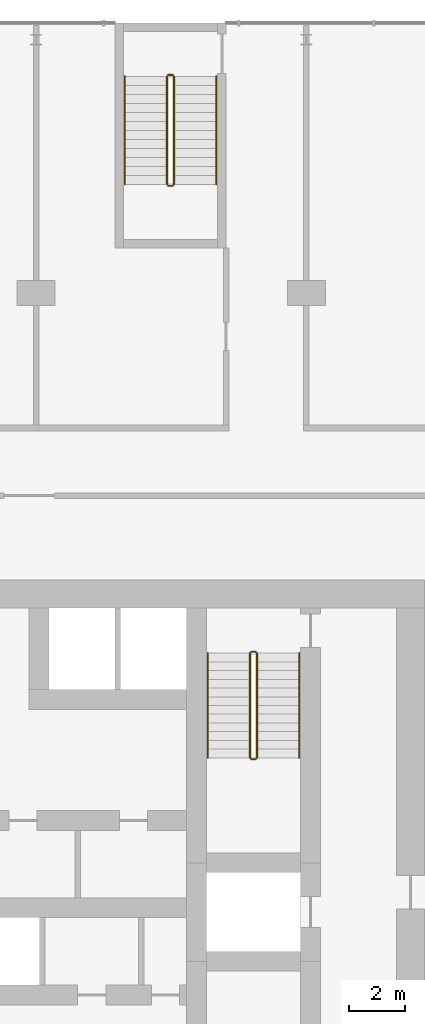
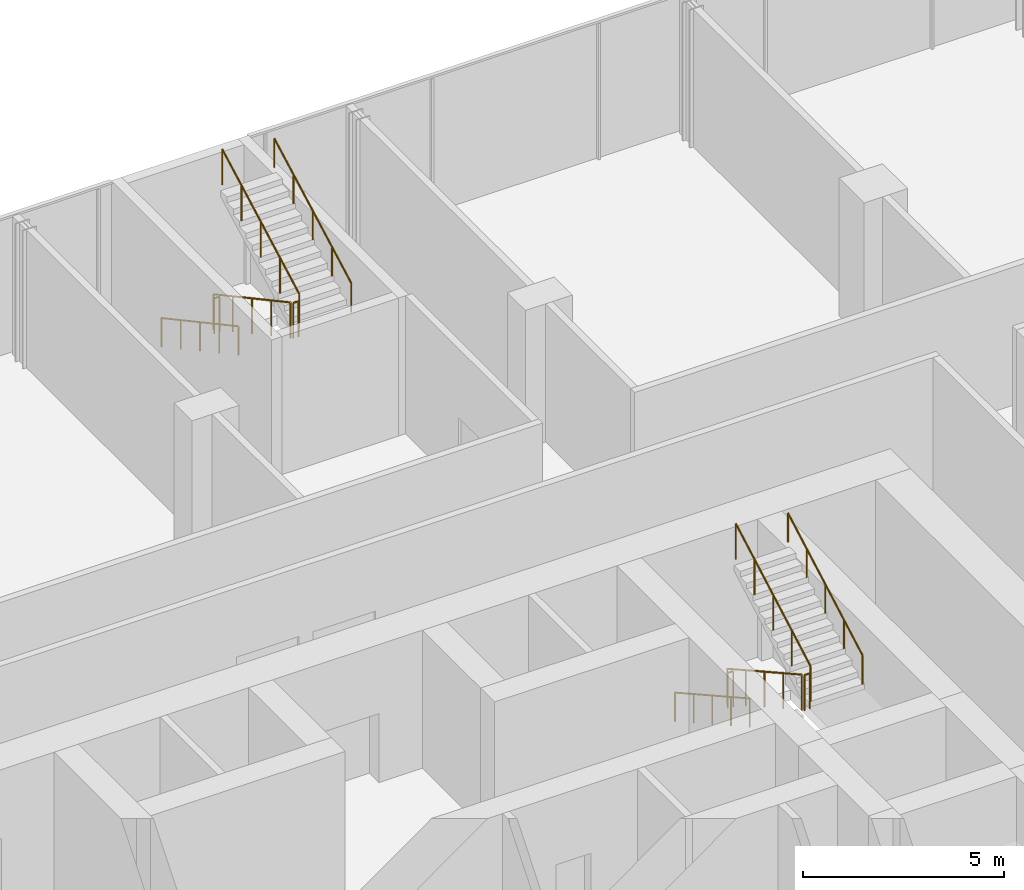
# One storey, part 42 of 43: 12 railings.
"""IFC4 building model written with IfcOpenShell, lengths in metres."""

from ifc_helpers import new_model, si_unit, direction, frame, origin, origin_2d, place, context, subcontext, project, spatial, circle, extrude, material, type_object, element, save


model = new_model("IFC4")

# Units and contexts
model_context = context("Model", 3, precision=1e-05, world=origin(), true_north=direction((0.0, 1.0)))
body_context = subcontext(model_context, "Body", "Model", "MODEL_VIEW")
ifc_project = project(units=[si_unit("LENGTHUNIT", "METRE"), si_unit("AREAUNIT", "SQUARE_METRE"), si_unit("VOLUMEUNIT", "CUBIC_METRE"), si_unit("PLANEANGLEUNIT", "RADIAN"), si_unit("MASSUNIT", "GRAM", prefix="KILO")], contexts=[model_context])

# Site, building, storey
site_placement = place(None, origin())
site = spatial("IfcSite", under=ifc_project, at=site_placement, CompositionType="ELEMENT")
building_placement = place(site_placement, origin())
building = spatial("IfcBuilding", under=site, at=building_placement, Name="Madar Terraces", CompositionType="ELEMENT")
storey_placement = place(building_placement, frame((0.0, 0.0, 10.5)))
storey = spatial("IfcBuildingStorey", under=building, at=storey_placement, Name="L02", CompositionType="ELEMENT", Elevation=10.5)

# Railings
ifc_material_1 = material(Name="Stainless steel railing", Category="steel")
railing_type_1 = type_object("IfcRailingType", Name="Stair guard 1100", PredefinedType="GUARDRAIL", material=ifc_material_1)
railing_1_placement = place(storey_placement, frame((41.199951171875, 35.199951171875, 0.173095703125)))
element("IfcRailing", 1, at=railing_1_placement, inside=storey, type_object=railing_type_1, Name="L02 ST2 stair guard 1", PredefinedType="GUARDRAIL", context=body_context, shape_type="SweptSolid", body=[
    extrude(circle(Radius=0.02392578125, at=origin_2d()), frame((0.0, 0.0, 1.076171875), z_axis=(0.0, -0.873133609054, 0.487480974747), x_axis=(1.0, 0.0, 0.0)), (0.0, 0.0, 1.0), 4.260498046875),
    extrude(circle(Radius=0.02099609375, at=origin_2d()), origin(), (0.0, 0.0, 1.0), 1.052001953125),
    extrude(circle(Radius=0.02099609375, at=origin_2d()), frame((0.0, -0.929931640625, 0.519287109375)), (0.0, 0.0, 1.0), 1.052001953125),
    extrude(circle(Radius=0.02099609375, at=origin_2d()), frame((0.0, -1.85986328125, 1.03857421875)), (0.0, 0.0, 1.0), 1.052001953125),
    extrude(circle(Radius=0.02099609375, at=origin_2d()), frame((0.0, -2.7900390625, 1.5576171875)), (0.0, 0.0, 1.0), 1.052001953125),
    extrude(circle(Radius=0.02099609375, at=origin_2d()), frame((0.0, -3.719970703125, 2.076904296875)), (0.0, 0.0, 1.0), 1.052001953125),
])
railing_2_placement = place(storey_placement, frame((41.25, 31.429931640625, 2.25)))
element("IfcRailing", 2, at=railing_2_placement, inside=storey, type_object=railing_type_1, Name="L02 ST2 stair guard 2", PredefinedType="GUARDRAIL", context=body_context, shape_type="SweptSolid", body=[
    extrude(circle(Radius=0.02392578125, at=origin_2d()), frame((0.0, 0.0, 1.076171875), z_axis=(1.0, 0.0, 0.0), x_axis=(0.0, 1.0, 0.0)), (0.0, 0.0, 1.0), 0.14990234375),
    extrude(circle(Radius=0.02099609375, at=origin_2d()), origin(), (0.0, 0.0, 1.0), 1.052001953125),
    extrude(circle(Radius=0.02099609375, at=origin_2d()), frame((0.14990234375, 0.0, 0.0)), (0.0, 0.0, 1.0), 1.052001953125),
])
railing_3_placement = place(storey_placement, frame((41.449951171875, 31.47998046875, 2.423095703125)))
element("IfcRailing", 3, at=railing_3_placement, inside=storey, type_object=railing_type_1, Name="L02 ST2 stair guard 3", PredefinedType="GUARDRAIL", context=body_context, shape_type="SweptSolid", body=[
    extrude(circle(Radius=0.02392578125, at=origin_2d()), frame((0.0, 0.0, 1.076171875), z_axis=(0.0, 0.873133609054, 0.487480974747), x_axis=(-1.0, 0.0, 0.0)), (0.0, 0.0, 1.0), 4.260498046875),
    extrude(circle(Radius=0.02099609375, at=origin_2d()), origin(), (0.0, 0.0, 1.0), 1.052001953125),
    extrude(circle(Radius=0.02099609375, at=origin_2d()), frame((0.0, 0.929931640625, 0.519287109375)), (0.0, 0.0, 1.0), 1.052001953125),
    extrude(circle(Radius=0.02099609375, at=origin_2d()), frame((0.0, 1.85986328125, 1.03857421875)), (0.0, 0.0, 1.0), 1.052001953125),
    extrude(circle(Radius=0.02099609375, at=origin_2d()), frame((0.0, 2.7900390625, 1.5576171875)), (0.0, 0.0, 1.0), 1.052001953125),
    extrude(circle(Radius=0.02099609375, at=origin_2d()), frame((0.0, 3.719970703125, 2.076904296875)), (0.0, 0.0, 1.0), 1.052001953125),
])
railing_4_placement = place(storey_placement, frame((41.25, 35.25, 0.0)))
element("IfcRailing", 4, at=railing_4_placement, inside=storey, type_object=railing_type_1, Name="L02 ST2 stair guard 4", PredefinedType="GUARDRAIL", context=body_context, shape_type="SweptSolid", body=[
    extrude(circle(Radius=0.02392578125, at=origin_2d()), frame((0.0, 0.0, 1.076171875), z_axis=(1.0, 0.0, 0.0), x_axis=(0.0, 1.0, 0.0)), (0.0, 0.0, 1.0), 0.14990234375),
    extrude(circle(Radius=0.02099609375, at=origin_2d()), origin(), (0.0, 0.0, 1.0), 1.052001953125),
    extrude(circle(Radius=0.02099609375, at=origin_2d()), frame((0.14990234375, 0.0, 0.0)), (0.0, 0.0, 1.0), 1.052001953125),
])
railing_5_placement = place(storey_placement, frame((38.25, 55.699951171875, 0.173095703125)))
element("IfcRailing", 5, at=railing_5_placement, inside=storey, type_object=railing_type_1, Name="L02 PS2 stair guard 1", PredefinedType="GUARDRAIL", context=body_context, shape_type="SweptSolid", body=[
    extrude(circle(Radius=0.02392578125, at=origin_2d()), frame((0.0, 0.0, 1.076171875), z_axis=(0.0, -0.879580660541, 0.475749788862), x_axis=(1.0, 0.0, 0.0)), (0.0, 0.0, 1.0), 4.365478515625),
    extrude(circle(Radius=0.02099609375, at=origin_2d()), origin(), (0.0, 0.0, 1.0), 1.052001953125),
    extrude(circle(Radius=0.02099609375, at=origin_2d()), frame((0.0, -0.9599609375, 0.519287109375)), (0.0, 0.0, 1.0), 1.052001953125),
    extrude(circle(Radius=0.02099609375, at=origin_2d()), frame((0.0, -1.919921875, 1.03857421875)), (0.0, 0.0, 1.0), 1.052001953125),
    extrude(circle(Radius=0.02099609375, at=origin_2d()), frame((0.0, -2.8798828125, 1.5576171875)), (0.0, 0.0, 1.0), 1.052001953125),
    extrude(circle(Radius=0.02099609375, at=origin_2d()), frame((0.0, -3.83984375, 2.076904296875)), (0.0, 0.0, 1.0), 1.052001953125),
])
railing_6_placement = place(storey_placement, frame((38.300048828125, 51.81005859375, 2.25)))
element("IfcRailing", 6, at=railing_6_placement, inside=storey, type_object=railing_type_1, Name="L02 PS2 stair guard 2", PredefinedType="GUARDRAIL", context=body_context, shape_type="SweptSolid", body=[
    extrude(circle(Radius=0.02392578125, at=origin_2d()), frame((0.0, 0.0, 1.076171875), z_axis=(1.0, 0.0, 0.0), x_axis=(0.0, 1.0, 0.0)), (0.0, 0.0, 1.0), 0.14990234375),
    extrude(circle(Radius=0.02099609375, at=origin_2d()), origin(), (0.0, 0.0, 1.0), 1.052001953125),
    extrude(circle(Radius=0.02099609375, at=origin_2d()), frame((0.14990234375, 0.0, 0.0)), (0.0, 0.0, 1.0), 1.052001953125),
])
railing_7_placement = place(storey_placement, frame((38.5, 51.860107421875, 2.423095703125)))
element("IfcRailing", 7, at=railing_7_placement, inside=storey, type_object=railing_type_1, Name="L02 PS2 stair guard 3", PredefinedType="GUARDRAIL", context=body_context, shape_type="SweptSolid", body=[
    extrude(circle(Radius=0.02392578125, at=origin_2d()), frame((0.0, 0.0, 1.076171875), z_axis=(0.0, 0.879580660541, 0.475749788862), x_axis=(-1.0, 0.0, 0.0)), (0.0, 0.0, 1.0), 4.365478515625),
    extrude(circle(Radius=0.02099609375, at=origin_2d()), origin(), (0.0, 0.0, 1.0), 1.052001953125),
    extrude(circle(Radius=0.02099609375, at=origin_2d()), frame((0.0, 0.9599609375, 0.519287109375)), (0.0, 0.0, 1.0), 1.052001953125),
    extrude(circle(Radius=0.02099609375, at=origin_2d()), frame((0.0, 1.919921875, 1.03857421875)), (0.0, 0.0, 1.0), 1.052001953125),
    extrude(circle(Radius=0.02099609375, at=origin_2d()), frame((0.0, 2.8798828125, 1.5576171875)), (0.0, 0.0, 1.0), 1.052001953125),
    extrude(circle(Radius=0.02099609375, at=origin_2d()), frame((0.0, 3.83984375, 2.076904296875)), (0.0, 0.0, 1.0), 1.052001953125),
])
railing_8_placement = place(storey_placement, frame((38.300048828125, 55.75, 0.0)))
element("IfcRailing", 8, at=railing_8_placement, inside=storey, type_object=railing_type_1, Name="L02 PS2 stair guard 4", PredefinedType="GUARDRAIL", context=body_context, shape_type="SweptSolid", body=[
    extrude(circle(Radius=0.02392578125, at=origin_2d()), frame((0.0, 0.0, 1.076171875), z_axis=(1.0, 0.0, 0.0), x_axis=(0.0, 1.0, 0.0)), (0.0, 0.0, 1.0), 0.14990234375),
    extrude(circle(Radius=0.02099609375, at=origin_2d()), origin(), (0.0, 0.0, 1.0), 1.052001953125),
    extrude(circle(Radius=0.02099609375, at=origin_2d()), frame((0.14990234375, 0.0, 0.0)), (0.0, 0.0, 1.0), 1.052001953125),
])
ifc_material_2 = material(Name="Stainless steel railing", Category="steel")
railing_type_2 = type_object("IfcRailingType", Name="Stair handrail 900", PredefinedType="HANDRAIL", material=ifc_material_2)
railing_9_placement = place(storey_placement, frame((39.699951171875, 35.199951171875, 0.173095703125)))
element("IfcRailing", 9, at=railing_9_placement, inside=storey, type_object=railing_type_2, Name="L02 ST2 stair handrail 1", PredefinedType="HANDRAIL", context=body_context, shape_type="SweptSolid", body=[
    extrude(circle(Radius=0.02392578125, at=origin_2d()), frame((0.0, 0.0, 0.8759765625), z_axis=(0.0, -0.873133609054, 0.487480974747), x_axis=(1.0, 0.0, 0.0)), (0.0, 0.0, 1.0), 4.260498046875),
    extrude(circle(Radius=0.02099609375, at=origin_2d()), origin(), (0.0, 0.0, 1.0), 0.851806640625),
    extrude(circle(Radius=0.02099609375, at=origin_2d()), frame((0.0, -0.929931640625, 0.519287109375)), (0.0, 0.0, 1.0), 0.851806640625),
    extrude(circle(Radius=0.02099609375, at=origin_2d()), frame((0.0, -1.85986328125, 1.03857421875)), (0.0, 0.0, 1.0), 0.851806640625),
    extrude(circle(Radius=0.02099609375, at=origin_2d()), frame((0.0, -2.7900390625, 1.5576171875)), (0.0, 0.0, 1.0), 0.851806640625),
    extrude(circle(Radius=0.02099609375, at=origin_2d()), frame((0.0, -3.719970703125, 2.076904296875)), (0.0, 0.0, 1.0), 0.851806640625),
])
railing_10_placement = place(storey_placement, frame((42.949951171875, 31.47998046875, 2.423095703125)))
element("IfcRailing", 10, at=railing_10_placement, inside=storey, type_object=railing_type_2, Name="L02 ST2 stair handrail 2", PredefinedType="HANDRAIL", context=body_context, shape_type="SweptSolid", body=[
    extrude(circle(Radius=0.02392578125, at=origin_2d()), frame((0.0, 0.0, 0.8759765625), z_axis=(0.0, 0.873133609054, 0.487480974747), x_axis=(-1.0, 0.0, 0.0)), (0.0, 0.0, 1.0), 4.260498046875),
    extrude(circle(Radius=0.02099609375, at=origin_2d()), origin(), (0.0, 0.0, 1.0), 0.851806640625),
    extrude(circle(Radius=0.02099609375, at=origin_2d()), frame((0.0, 0.929931640625, 0.519287109375)), (0.0, 0.0, 1.0), 0.851806640625),
    extrude(circle(Radius=0.02099609375, at=origin_2d()), frame((0.0, 1.85986328125, 1.03857421875)), (0.0, 0.0, 1.0), 0.851806640625),
    extrude(circle(Radius=0.02099609375, at=origin_2d()), frame((0.0, 2.7900390625, 1.5576171875)), (0.0, 0.0, 1.0), 0.851806640625),
    extrude(circle(Radius=0.02099609375, at=origin_2d()), frame((0.0, 3.719970703125, 2.076904296875)), (0.0, 0.0, 1.0), 0.851806640625),
])
railing_11_placement = place(storey_placement, frame((36.75, 55.699951171875, 0.173095703125)))
element("IfcRailing", 11, at=railing_11_placement, inside=storey, type_object=railing_type_2, Name="L02 PS2 stair handrail 1", PredefinedType="HANDRAIL", context=body_context, shape_type="SweptSolid", body=[
    extrude(circle(Radius=0.02392578125, at=origin_2d()), frame((0.0, 0.0, 0.8759765625), z_axis=(0.0, -0.879580660541, 0.475749788862), x_axis=(1.0, 0.0, 0.0)), (0.0, 0.0, 1.0), 4.365478515625),
    extrude(circle(Radius=0.02099609375, at=origin_2d()), origin(), (0.0, 0.0, 1.0), 0.851806640625),
    extrude(circle(Radius=0.02099609375, at=origin_2d()), frame((0.0, -0.9599609375, 0.519287109375)), (0.0, 0.0, 1.0), 0.851806640625),
    extrude(circle(Radius=0.02099609375, at=origin_2d()), frame((0.0, -1.919921875, 1.03857421875)), (0.0, 0.0, 1.0), 0.851806640625),
    extrude(circle(Radius=0.02099609375, at=origin_2d()), frame((0.0, -2.8798828125, 1.5576171875)), (0.0, 0.0, 1.0), 0.851806640625),
    extrude(circle(Radius=0.02099609375, at=origin_2d()), frame((0.0, -3.83984375, 2.076904296875)), (0.0, 0.0, 1.0), 0.851806640625),
])
railing_12_placement = place(storey_placement, frame((40.0, 51.860107421875, 2.423095703125)))
element("IfcRailing", 12, at=railing_12_placement, inside=storey, type_object=railing_type_2, Name="L02 PS2 stair handrail 2", PredefinedType="HANDRAIL", context=body_context, shape_type="SweptSolid", body=[
    extrude(circle(Radius=0.02392578125, at=origin_2d()), frame((0.0, 0.0, 0.8759765625), z_axis=(0.0, 0.879580660541, 0.475749788862), x_axis=(-1.0, 0.0, 0.0)), (0.0, 0.0, 1.0), 4.365478515625),
    extrude(circle(Radius=0.02099609375, at=origin_2d()), origin(), (0.0, 0.0, 1.0), 0.851806640625),
    extrude(circle(Radius=0.02099609375, at=origin_2d()), frame((0.0, 0.9599609375, 0.519287109375)), (0.0, 0.0, 1.0), 0.851806640625),
    extrude(circle(Radius=0.02099609375, at=origin_2d()), frame((0.0, 1.919921875, 1.03857421875)), (0.0, 0.0, 1.0), 0.851806640625),
    extrude(circle(Radius=0.02099609375, at=origin_2d()), frame((0.0, 2.8798828125, 1.5576171875)), (0.0, 0.0, 1.0), 0.851806640625),
    extrude(circle(Radius=0.02099609375, at=origin_2d()), frame((0.0, 3.83984375, 2.076904296875)), (0.0, 0.0, 1.0), 0.851806640625),
])

save(model, "model.ifc")
